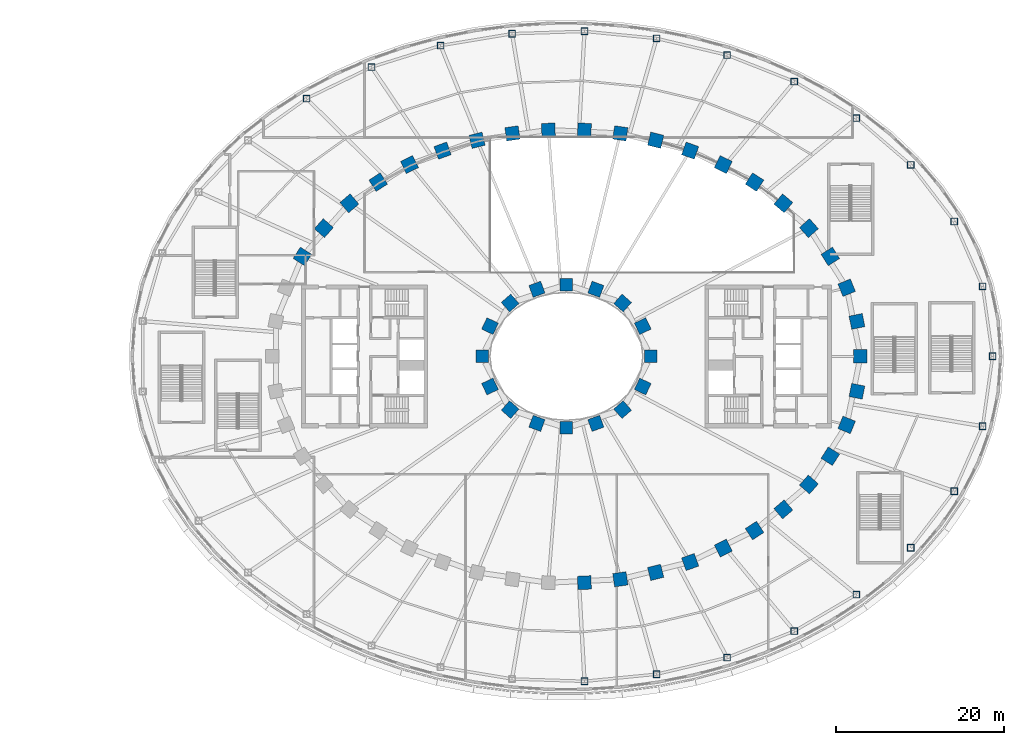
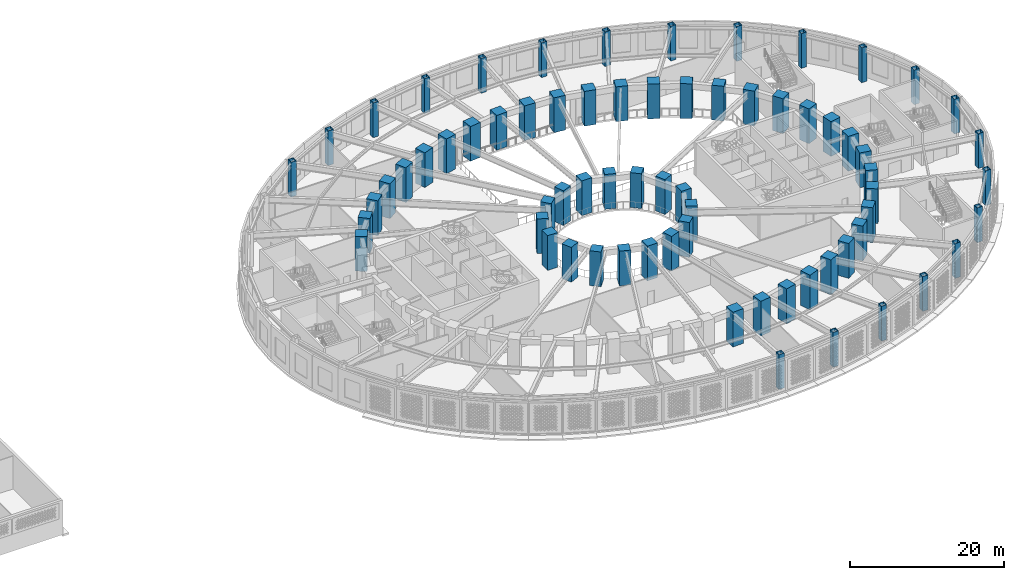
# One storey, part 2 of 69: 69 columns.
"""IFC4 building model written with IfcOpenShell, lengths in metres."""

from ifc_helpers import new_model, si_unit, direction, frame, origin, origin_2d, place, context, subcontext, project, spatial, rectangle, hollow_rectangle, extrude, material, material_profile, profile_set, type_object, element, save


model = new_model("IFC4")

# Units and contexts
model_context = context("Model", 3, precision=1e-05, world=origin(), true_north=direction((0.0, 1.0)))
body_context = subcontext(model_context, "Body", "Model", "MODEL_VIEW")
ifc_project = project(units=[si_unit("LENGTHUNIT", "METRE"), si_unit("AREAUNIT", "SQUARE_METRE"), si_unit("VOLUMEUNIT", "CUBIC_METRE"), si_unit("PLANEANGLEUNIT", "RADIAN"), si_unit("MASSUNIT", "GRAM", prefix="KILO")], contexts=[model_context])

# Site, building, storey
site_placement = place(None, origin())
site = spatial("IfcSite", under=ifc_project, at=site_placement, CompositionType="ELEMENT")
building_placement = place(site_placement, origin())
building = spatial("IfcBuilding", under=site, at=building_placement, Name="Noorbagh Ring Tower", CompositionType="ELEMENT")
storey_placement = place(building_placement, frame((0.0, 0.0, 19.5)))
storey = spatial("IfcBuildingStorey", under=building, at=storey_placement, Name="L03", CompositionType="ELEMENT", Elevation=19.5)

# Columns
ifc_material_1 = material(Name="Steel S355", Category="steel")
ifc_material_profile_1 = material_profile(ifc_material_1, hollow_rectangle(XDim=0.800048828125, YDim=0.800048828125, WallThickness=0.0400390625, at=origin_2d()), Name="BOX800x800x40")
ifc_profile_set_1 = profile_set([ifc_material_profile_1], Name="Steel S355")
column_type_1 = type_object("IfcColumnType", Name="GND-COL-BOX800x800x40", PredefinedType="COLUMN", material=ifc_profile_set_1)
for number, where, z_axis, x_axis, name in (
    (1, (50.646484375, 0.0, 0.0), (0.0, 0.0, 1.0), (1.0, 0.0, 0.0), "L03/col/RP-01"),
    (2, (49.4609375, 8.304443359375, 0.0), (0.0, 0.0, 1.0), (1.0, 0.0, 0.0), "L03/col/RP-02"),
    (3, (46.081298828125, 16.021240234375, 0.0), (0.0, 0.0, 1.0), (1.0, 0.0, 0.0), "L03/col/RP-03"),
    (4, (40.927734375, 22.75, 0.0), (0.0, 0.0, 1.0), (1.0, 0.0, 0.0), "L03/col/RP-04"),
    (5, (34.46484375, 28.306884765625, 0.0), (0.0, 0.0, 1.0), (1.0, 0.0, 0.0), "L03/col/RP-05"),
    (6, (27.0869140625, 32.648193359375, 0.0), (0.0, 0.0, 1.0), (1.0, 0.0, 0.0), "L03/col/RP-06"),
    (7, (19.0966796875, 35.791748046875, 0.0), (0.0, 0.0, 1.0), (1.0, 0.0, 0.0), "L03/col/RP-07"),
    (8, (10.724609375, 37.771240234375, 0.0), (0.0, 0.0, 1.0), (1.0, 0.0, 0.0), "L03/col/RP-08"),
    (9, (2.154541015625, 38.6142578125, 0.0), (0.0, 0.0, 1.0), (1.0, 0.0, 0.0), "L03/col/RP-09"),
    (10, (-6.4541015625, 38.33349609375, 0.0), (0.0, 0.0, 1.0), (1.0, 0.0, 0.0), "L03/col/RP-10"),
    (11, (-14.946044921875, 36.925048828125, 0.0), (0.0, 0.0, 1.0), (1.0, 0.0, 0.0), "L03/col/RP-11"),
    (12, (-23.152587890625, 34.36767578125, 0.0), (0.0, 0.0, 1.0), (1.0, 0.0, 0.0), "L03/col/RP-12"),
    (13, (-30.869384765625, 30.629150390625, 0.0), (0.0, 0.0, 1.0), (1.0, 0.0, 0.0), "L03/col/RP-13"),
    (14, (2.154541015625, -38.6142578125, 0.0), (0.0, 0.0, 1.0), (1.0, 0.0, 0.0), "L03/col/RP-26"),
    (15, (10.724609375, -37.771240234375, 0.0), (0.0, 0.0, 1.0), (1.0, 0.0, 0.0), "L03/col/RP-27"),
    (16, (19.0966796875, -35.791748046875, 0.0), (0.0, 0.0, 1.0), (1.0, 0.0, 0.0), "L03/col/RP-28"),
    (17, (27.0869140625, -32.648193359375, 0.0), (0.0, 0.0, 1.0), (1.0, 0.0, 0.0), "L03/col/RP-29"),
    (18, (34.46484375, -28.306884765625, 0.0), (0.0, 0.0, 1.0), (1.0, 0.0, 0.0), "L03/col/RP-30"),
    (19, (40.927734375, -22.75, 0.0), (0.0, 0.0, 1.0), (1.0, 0.0, 0.0), "L03/col/RP-31"),
    (20, (46.081298828125, -16.021240234375, 0.0), (0.0, 0.0, 1.0), (1.0, 0.0, 0.0), "L03/col/RP-32"),
    (21, (49.4609375, -8.304443359375, 0.0), (0.0, 0.0, 1.0), (1.0, 0.0, 0.0), "L03/col/RP-33"),
):
    element("IfcColumn", number, at=place(storey_placement, frame(where, z_axis=z_axis, x_axis=x_axis)), inside=storey, type_object=column_type_1, Name=name, PredefinedType="COLUMN", context=body_context, shape_type="SweptSolid", body=[
        extrude(hollow_rectangle(XDim=0.800048828125, YDim=0.800048828125, WallThickness=0.0400390625, at=origin_2d()), origin(), (0.0, 0.0, 1.0), 5.5),
    ])
ifc_material_2 = material(Name="Concrete C70/85", Category="concrete")
ifc_material_profile_2 = material_profile(ifc_material_2, rectangle(XDim=1.60009765625, YDim=1.60009765625, at=origin_2d()), Name="RC1600x1600")
ifc_profile_set_2 = profile_set([ifc_material_profile_2], Name="Concrete C70/85")
column_type_2 = type_object("IfcColumnType", Name="STR-COL-RC1600x1600-C70-85", PredefinedType="COLUMN", material=ifc_profile_set_2)
for number, where, z_axis, x_axis, name in (
    (22, (34.944580078125, 0.0, 0.0), (0.0, 0.0, 1.0), (0.0, 1.0, 0.0), "L03/col/R1-01"),
    (23, (34.52685546875, 4.150634765625, 0.0), (0.0, 0.0, 1.0), (-0.19723040178, 0.9803571638, 0.0), "L03/col/R1-02"),
    (24, (33.30517578125, 8.1494140625, 0.0), (0.0, 0.0, 1.0), (-0.378989499959, 0.925400971969, 0.0), "L03/col/R1-03"),
    (25, (31.364990234375, 11.87109375, 0.0), (0.0, 0.0, 1.0), (-0.535190403059, 0.844731455833, 0.0), "L03/col/R1-04"),
    (26, (28.81884765625, 15.23046875, 0.0), (0.0, 0.0, 1.0), (-0.662635642662, 0.748941923699, 0.0), "L03/col/R1-05"),
    (27, (25.78271484375, 18.180419921875, 0.0), (0.0, 0.0, 1.0), (-0.763035199656, 0.646356932419, 0.0), "L03/col/R1-06"),
    (28, (22.362060546875, 20.699951171875, 0.0), (0.0, 0.0, 1.0), (-0.840247639643, 0.542202825586, 0.0), "L03/col/R1-07"),
    (29, (18.646240234375, 22.785400390625, 0.0), (0.0, 0.0, 1.0), (-0.898399080868, 0.439180021741, 0.0), "L03/col/R1-08"),
    (30, (14.70947265625, 24.44091796875, 0.0), (0.0, 0.0, 1.0), (-0.941024726094, 0.338337797003, 0.0), "L03/col/R1-09"),
    (31, (10.61328125, 25.673583984375, 0.0), (0.0, 0.0, 1.0), (-0.970829360981, 0.239771457553, 0.0), "L03/col/R1-10"),
    (32, (6.4091796875, 26.49072265625, 0.0), (0.0, 0.0, 1.0), (-0.989713114048, 0.143066249975, 0.0), "L03/col/R1-11"),
    (33, (2.14306640625, 26.89794921875, 0.0), (0.0, 0.0, 1.0), (-0.998868731212, 0.047552684538, 0.0), "L03/col/R1-12"),
    (34, (-2.14306640625, 26.89794921875, 0.0), (0.0, 0.0, 1.0), (-0.998868731212, -0.047552684538, 0.0), "L03/col/R1-13"),
    (35, (-6.4091796875, 26.49072265625, 0.0), (0.0, 0.0, 1.0), (-0.989713114048, -0.143066249975, 0.0), "L03/col/R1-14"),
    (36, (-10.61328125, 25.673583984375, 0.0), (0.0, 0.0, 1.0), (-0.970829360981, -0.239771457553, 0.0), "L03/col/R1-15"),
    (37, (-14.70947265625, 24.44091796875, 0.0), (0.0, 0.0, 1.0), (-0.941024726094, -0.338337797003, 0.0), "L03/col/R1-16"),
    (38, (-18.646240234375, 22.785400390625, 0.0), (0.0, 0.0, 1.0), (-0.898399080868, -0.439180021741, 0.0), "L03/col/R1-17"),
    (39, (-22.362060546875, 20.699951171875, 0.0), (0.0, 0.0, 1.0), (-0.840247639643, -0.542202825586, 0.0), "L03/col/R1-18"),
    (40, (-25.78271484375, 18.180419921875, 0.0), (0.0, 0.0, 1.0), (-0.763035199656, -0.646356932419, 0.0), "L03/col/R1-19"),
    (41, (-28.81884765625, 15.23046875, 0.0), (0.0, 0.0, 1.0), (-0.662635642662, -0.748941923699, 0.0), "L03/col/R1-20"),
    (42, (-31.364990234375, 11.87109375, 0.0), (0.0, 0.0, 1.0), (-0.535190403059, -0.844731455833, 0.0), "L03/col/R1-21"),
    (43, (2.14306640625, -26.89794921875, 0.0), (0.0, 0.0, 1.0), (0.998868731212, 0.047552684538, 0.0), "L03/col/R1-36"),
    (44, (6.4091796875, -26.49072265625, 0.0), (0.0, 0.0, 1.0), (0.989713114048, 0.143066249975, 0.0), "L03/col/R1-37"),
    (45, (10.61328125, -25.673583984375, 0.0), (0.0, 0.0, 1.0), (0.970829360981, 0.239771457553, 0.0), "L03/col/R1-38"),
    (46, (14.70947265625, -24.44091796875, 0.0), (0.0, 0.0, 1.0), (0.941024726094, 0.338337797003, 0.0), "L03/col/R1-39"),
    (47, (18.646240234375, -22.785400390625, 0.0), (0.0, 0.0, 1.0), (0.898399080868, 0.439180021741, 0.0), "L03/col/R1-40"),
    (48, (22.362060546875, -20.699951171875, 0.0), (0.0, 0.0, 1.0), (0.840247639643, 0.542202825586, 0.0), "L03/col/R1-41"),
    (49, (25.78271484375, -18.180419921875, 0.0), (0.0, 0.0, 1.0), (0.763035199656, 0.646356932419, 0.0), "L03/col/R1-42"),
    (50, (28.81884765625, -15.23046875, 0.0), (0.0, 0.0, 1.0), (0.662635642662, 0.748941923699, 0.0), "L03/col/R1-43"),
    (51, (31.364990234375, -11.87109375, 0.0), (0.0, 0.0, 1.0), (0.535190403059, 0.844731455833, 0.0), "L03/col/R1-44"),
    (52, (33.30517578125, -8.1494140625, 0.0), (0.0, 0.0, 1.0), (0.378989499959, 0.925400971969, 0.0), "L03/col/R1-45"),
    (53, (34.52685546875, -4.150634765625, 0.0), (0.0, 0.0, 1.0), (0.19723040178, 0.9803571638, 0.0), "L03/col/R1-46"),
):
    element("IfcColumn", number, at=place(storey_placement, frame(where, z_axis=z_axis, x_axis=x_axis)), inside=storey, type_object=column_type_2, Name=name, PredefinedType="COLUMN", context=body_context, shape_type="SweptSolid", body=[
        extrude(rectangle(XDim=1.60009765625, YDim=1.60009765625, at=origin_2d()), origin(), (0.0, 0.0, 1.0), 5.5),
    ])
ifc_material_3 = material(Name="Concrete C70/85", Category="concrete")
ifc_material_profile_3 = material_profile(ifc_material_3, rectangle(XDim=1.5, YDim=1.5, at=origin_2d()), Name="RC1500x1500")
ifc_profile_set_3 = profile_set([ifc_material_profile_3], Name="Concrete C70/85")
column_type_3 = type_object("IfcColumnType", Name="STR-ICOL-RC1500x1500-C70-85", PredefinedType="COLUMN", material=ifc_profile_set_3)
for number, where, z_axis, x_axis, name in (
    (54, (10.00830078125, 0.0, 0.0), (0.0, 0.0, 1.0), (0.0, 1.0, 0.0), "L03/col/IR2-W01"),
    (55, (9.07568359375, 3.58837890625, 0.0), (0.0, 0.0, 1.0), (-0.428666979171, 0.903462573087, 0.0), "L03/col/IR2-W03"),
    (56, (6.68212890625, 6.333740234375, 0.0), (0.0, 0.0, 1.0), (-0.75102249095, 0.660276622399, 0.0), "L03/col/IR2-W05"),
    (57, (3.5009765625, 7.967041015625, 0.0), (0.0, 0.0, 1.0), (-0.939019578916, 0.343863679984, 0.0), "L03/col/IR2-W07"),
    (58, (0.0, 8.5029296875, 0.0), (0.0, 0.0, 1.0), (-1.0, 0.0, 0.0), "L03/col/IR2-W09"),
    (59, (-3.5009765625, 7.967041015625, 0.0), (0.0, 0.0, 1.0), (-0.939019578916, -0.343863679984, 0.0), "L03/col/IR2-W11"),
    (60, (-6.68212890625, 6.333740234375, 0.0), (0.0, 0.0, 1.0), (-0.75102249095, -0.660276622399, 0.0), "L03/col/IR2-W13"),
    (61, (-9.07568359375, 3.58837890625, 0.0), (0.0, 0.0, 1.0), (-0.428666979171, -0.903462573087, 0.0), "L03/col/IR2-W15"),
    (62, (-10.00830078125, 0.0, 0.0), (0.0, 0.0, 1.0), (0.0, -1.0, 0.0), "L03/col/IR2-W17"),
    (63, (-9.07568359375, -3.58837890625, 0.0), (0.0, 0.0, 1.0), (0.428666979171, -0.903462573087, 0.0), "L03/col/IR2-W19"),
    (64, (-6.68212890625, -6.333740234375, 0.0), (0.0, 0.0, 1.0), (0.75102249095, -0.660276622399, 0.0), "L03/col/IR2-W21"),
    (65, (-3.5009765625, -7.967041015625, 0.0), (0.0, 0.0, 1.0), (0.939019578916, -0.343863679984, 0.0), "L03/col/IR2-W23"),
    (66, (0.0, -8.5029296875, 0.0), (0.0, 0.0, 1.0), (1.0, 0.0, 0.0), "L03/col/IR2-W25"),
    (67, (3.5009765625, -7.967041015625, 0.0), (0.0, 0.0, 1.0), (0.939019578916, 0.343863679984, 0.0), "L03/col/IR2-W27"),
    (68, (6.68212890625, -6.333740234375, 0.0), (0.0, 0.0, 1.0), (0.75102249095, 0.660276622399, 0.0), "L03/col/IR2-W29"),
    (69, (9.07568359375, -3.58837890625, 0.0), (0.0, 0.0, 1.0), (0.428666979171, 0.903462573087, 0.0), "L03/col/IR2-W31"),
):
    element("IfcColumn", number, at=place(storey_placement, frame(where, z_axis=z_axis, x_axis=x_axis)), inside=storey, type_object=column_type_3, Name=name, PredefinedType="COLUMN", context=body_context, shape_type="SweptSolid", body=[
        extrude(rectangle(XDim=1.5, YDim=1.5, at=origin_2d()), origin(), (0.0, 0.0, 1.0), 5.5),
    ])

save(model, "model.ifc")
